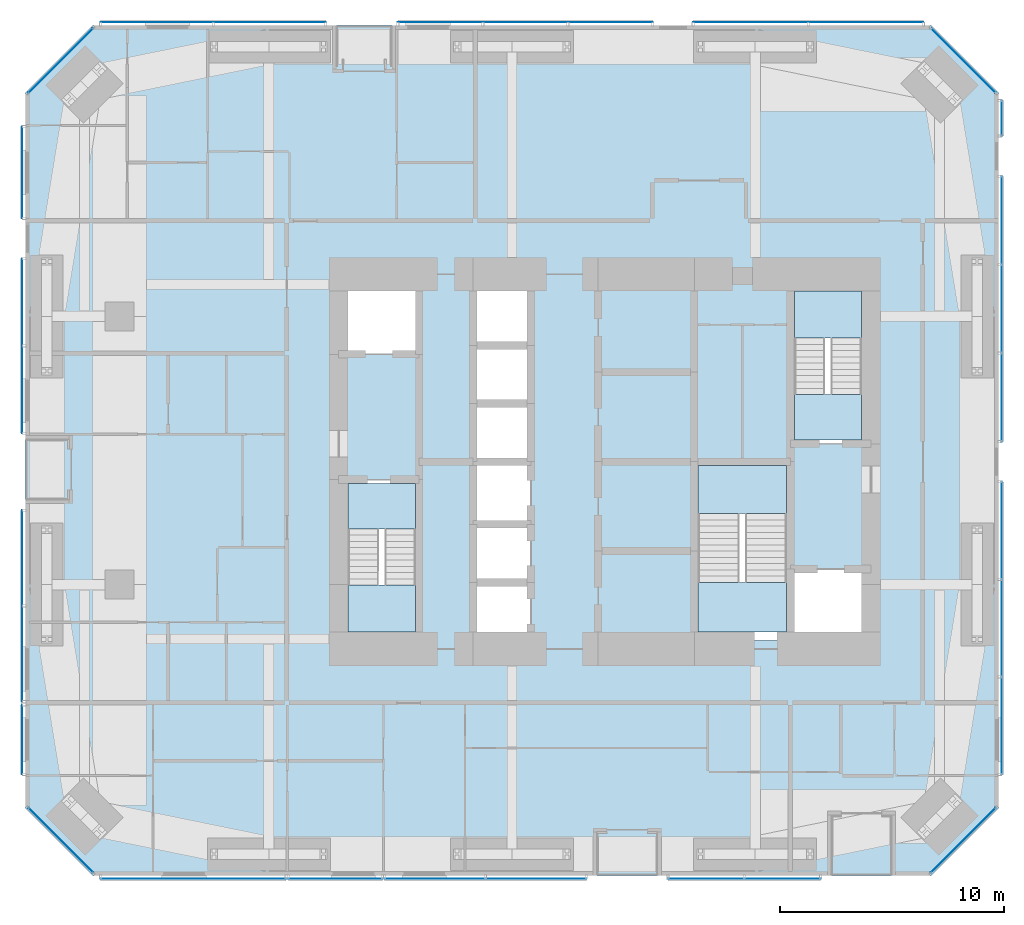
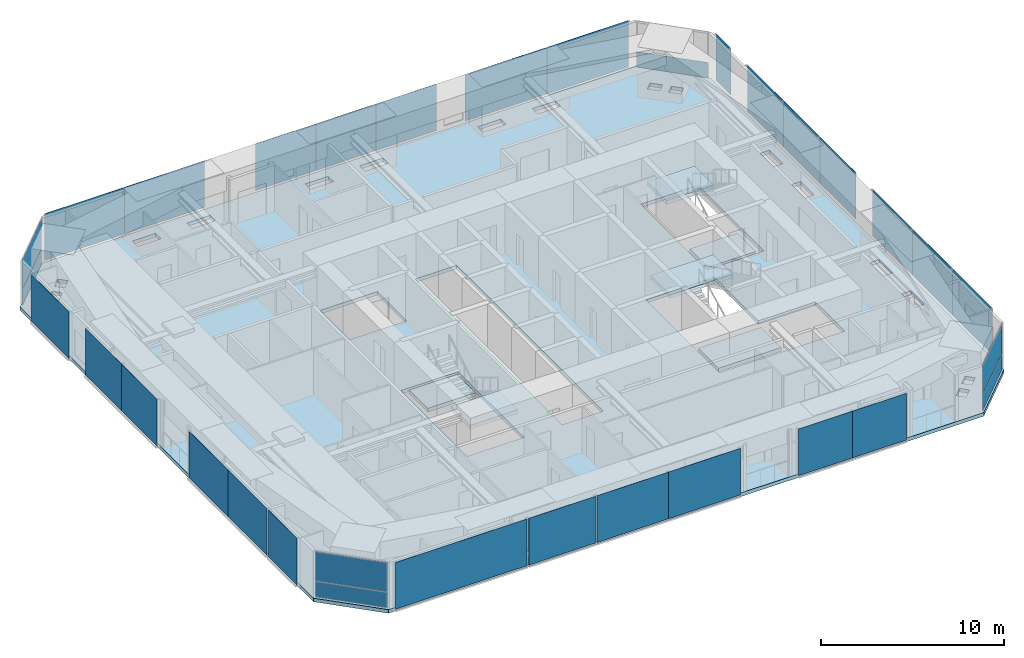
# One storey, part 16 of 24: 33 plates, 7 slabs, 21 elements without a shape of their own.
"""IFC4 building model written with IfcOpenShell, lengths in metres."""

from ifc_helpers import new_model, si_unit, direction, frame, origin, origin_2d, place, context, subcontext, project, spatial, polyline, rectangle, outline, extrude, material, layer, layer_set, type_object, element, aggregate, save


model = new_model("IFC4")

# Units and contexts
model_context = context("Model", 3, precision=1e-05, world=origin(), true_north=direction((0.0, 1.0)))
body_context = subcontext(model_context, "Body", "Model", "MODEL_VIEW")
ifc_project = project(units=[si_unit("LENGTHUNIT", "METRE"), si_unit("AREAUNIT", "SQUARE_METRE"), si_unit("VOLUMEUNIT", "CUBIC_METRE"), si_unit("PLANEANGLEUNIT", "RADIAN"), si_unit("MASSUNIT", "GRAM", prefix="KILO")], contexts=[model_context])

# Site, building, storey
site_placement = place(None, origin())
site = spatial("IfcSite", under=ifc_project, at=site_placement, CompositionType="ELEMENT")
building_placement = place(site_placement, origin())
building = spatial("IfcBuilding", under=site, at=building_placement, Name="Jalousie Tower", CompositionType="ELEMENT")
storey_placement = place(building_placement, frame((0.0, 0.0, 131.64990234375)))
storey = spatial("IfcBuildingStorey", under=building, at=storey_placement, Name="L36", CompositionType="ELEMENT", Elevation=131.64990234375)

# Curtain wall, plates
ifc_material_1 = material(Name="Aluminium curtain wall", Category="aluminium")
curtain_wall_type_1 = type_object("IfcCurtainWallType", Name="CORNER WINDOW WALL", PredefinedType="USERDEFINED", material=ifc_material_1)
curtain_wall_1_placement = place(storey_placement, origin())
curtain_wall_1 = element("IfcCurtainWall", 1, at=curtain_wall_1_placement, inside=storey, type_object=curtain_wall_type_1, Name="Corner Window Wall L36 2", ObjectType="CORNER WINDOW WALL", PredefinedType="USERDEFINED")
ifc_material_2 = material(Name="Laminated impact-rated spandrel glass", Category="glass")
ifc_layer_1 = layer(ifc_material_2, 0.028076171875)
ifc_layer_set_1 = layer_set([ifc_layer_1], Name="Laminated impact-rated spandrel glass")
plate_type_1 = type_object("IfcPlateType", Name="CORNER WINDOW WALL PANEL", PredefinedType="CURTAIN_PANEL", material=ifc_layer_set_1)
plate_1_placement = place(storey_placement, frame((47.9306640625, 1.5693359375, 0.06005859375), z_axis=(0.0, 0.0, 1.0), x_axis=(0.707106781187, 0.707106781187, 0.0)))
plate_1 = element("IfcPlate", 2, at=plate_1_placement, type_object=plate_type_1, Name="CW-C panel 1.1", PredefinedType="CURTAIN_PANEL", context=body_context, shape_type="SweptSolid", body=[
    extrude(rectangle(XDim=4.071533203125, YDim=0.028076171875, at=origin_2d()), origin(), (0.0, 0.0, 1.0), 1.010009765625),
])
plate_2_placement = place(storey_placement, frame((47.9306640625, 1.5693359375, 1.130126953125), z_axis=(0.0, 0.0, 1.0), x_axis=(0.707106781187, 0.707106781187, 0.0)))
plate_2 = element("IfcPlate", 3, at=plate_2_placement, type_object=plate_type_1, Name="CW-C panel 1.2", PredefinedType="CURTAIN_PANEL", context=body_context, shape_type="SweptSolid", body=[
    extrude(rectangle(XDim=4.071533203125, YDim=0.028076171875, at=origin_2d()), origin(), (0.0, 0.0, 1.0), 1.919921875),
])
aggregate(curtain_wall_1, [plate_1, plate_2])

# Curtain wall, plate
curtain_wall_2_placement = place(storey_placement, origin())
curtain_wall_2 = element("IfcCurtainWall", 4, at=curtain_wall_2_placement, inside=storey, type_object=curtain_wall_type_1, Name="Corner Window Wall L36 4", ObjectType="CORNER WINDOW WALL", PredefinedType="USERDEFINED")
plate_3_placement = place(storey_placement, frame((47.9306640625, 36.4306640625, 0.06005859375), z_axis=(0.0, 0.0, 1.0), x_axis=(-0.707106781187, 0.707106781187, 0.0)))
plate_3 = element("IfcPlate", 5, at=plate_3_placement, type_object=plate_type_1, Name="CW-C panel 1.1", PredefinedType="CURTAIN_PANEL", context=body_context, shape_type="SweptSolid", body=[
    extrude(rectangle(XDim=4.071533203125, YDim=0.028076171875, at=origin_2d()), origin(), (0.0, 0.0, 1.0), 1.010009765625),
])
aggregate(curtain_wall_2, [plate_3])

# Curtain wall, plates
curtain_wall_3_placement = place(storey_placement, origin())
curtain_wall_3 = element("IfcCurtainWall", 6, at=curtain_wall_3_placement, inside=storey, type_object=curtain_wall_type_1, Name="Corner Window Wall L36 6", ObjectType="CORNER WINDOW WALL", PredefinedType="USERDEFINED")
plate_4_placement = place(storey_placement, frame((7.5693359375, 36.4306640625, 0.06005859375), z_axis=(0.0, 0.0, 1.0), x_axis=(-0.707106781187, -0.707106781187, 0.0)))
plate_4 = element("IfcPlate", 7, at=plate_4_placement, type_object=plate_type_1, Name="CW-C panel 1.1", PredefinedType="CURTAIN_PANEL", context=body_context, shape_type="SweptSolid", body=[
    extrude(rectangle(XDim=4.071533203125, YDim=0.028076171875, at=origin_2d()), origin(), (0.0, 0.0, 1.0), 1.010009765625),
])
plate_5_placement = place(storey_placement, frame((7.5693359375, 36.4306640625, 1.130126953125), z_axis=(0.0, 0.0, 1.0), x_axis=(-0.707106781187, -0.707106781187, 0.0)))
plate_5 = element("IfcPlate", 8, at=plate_5_placement, type_object=plate_type_1, Name="CW-C panel 1.2", PredefinedType="CURTAIN_PANEL", context=body_context, shape_type="SweptSolid", body=[
    extrude(rectangle(XDim=4.071533203125, YDim=0.028076171875, at=origin_2d()), origin(), (0.0, 0.0, 1.0), 1.919921875),
])
aggregate(curtain_wall_3, [plate_4, plate_5])

curtain_wall_4_placement = place(storey_placement, origin())
curtain_wall_4 = element("IfcCurtainWall", 9, at=curtain_wall_4_placement, inside=storey, type_object=curtain_wall_type_1, Name="Corner Window Wall L36 8", ObjectType="CORNER WINDOW WALL", PredefinedType="USERDEFINED")
plate_6_placement = place(storey_placement, frame((7.5693359375, 1.5693359375, 0.06005859375), z_axis=(0.0, 0.0, 1.0), x_axis=(0.707106781187, -0.707106781187, 0.0)))
plate_6 = element("IfcPlate", 10, at=plate_6_placement, type_object=plate_type_1, Name="CW-C panel 1.1", PredefinedType="CURTAIN_PANEL", context=body_context, shape_type="SweptSolid", body=[
    extrude(rectangle(XDim=4.071533203125, YDim=0.028076171875, at=origin_2d()), origin(), (0.0, 0.0, 1.0), 1.010009765625),
])
plate_7_placement = place(storey_placement, frame((7.5693359375, 1.5693359375, 1.130126953125), z_axis=(0.0, 0.0, 1.0), x_axis=(0.707106781187, -0.707106781187, 0.0)))
plate_7 = element("IfcPlate", 11, at=plate_7_placement, type_object=plate_type_1, Name="CW-C panel 1.2", PredefinedType="CURTAIN_PANEL", context=body_context, shape_type="SweptSolid", body=[
    extrude(rectangle(XDim=4.071533203125, YDim=0.028076171875, at=origin_2d()), origin(), (0.0, 0.0, 1.0), 1.919921875),
])
aggregate(curtain_wall_4, [plate_6, plate_7])

# Slab
ifc_material_3 = material(Name="Concrete f'c 40 MPa", Category="concrete")
ifc_layer_2 = layer(ifc_material_3, 0.239990234375)
ifc_layer_set_2 = layer_set([ifc_layer_2], Name="Concrete f'c 40 MPa")
slab_type_1 = type_object("IfcSlabType", Name="FLOOR SLAB 240", PredefinedType="FLOOR", material=ifc_layer_set_2)
slab_1_placement = place(storey_placement, frame((0.0, 0.0, -0.239990234375)))
element("IfcSlab", 12, at=slab_1_placement, inside=storey, type_object=slab_type_1, Name="L36 floor slab", PredefinedType="FLOOR", context=body_context, shape_type="SweptSolid", body=[
    extrude(outline(polyline([(9.0, 0.0), (46.5, 0.0), (49.5, 3.0), (49.5, 35.0), (46.5, 38.0), (9.0, 38.0), (6.0, 35.0), (6.0, 3.0), (9.0, 0.0)]), holes=[polyline([(14.425048828125, 1.236083984375), (14.484619140625, 1.236083984375), (15.888916015625, 1.236083984375), (15.888916015625, 0.663818359375), (14.484619140625, 0.663818359375), (14.425048828125, 0.663818359375), (14.425048828125, 1.236083984375)]), polyline([(26.763916015625, 1.236083984375), (26.763916015625, 0.663818359375), (25.359619140625, 0.663818359375), (25.300048828125, 0.663818359375), (25.300048828125, 1.236083984375), (25.359619140625, 1.236083984375), (26.763916015625, 1.236083984375)]), polyline([(17.861083984375, 1.236083984375), (19.265380859375, 1.236083984375), (19.324951171875, 1.236083984375), (19.324951171875, 0.663818359375), (19.265380859375, 0.663818359375), (17.861083984375, 0.663818359375), (17.861083984375, 1.236083984375)]), polyline([(9.39453125, 2.27294921875), (9.505615234375, 2.162109375), (9.505615234375, 2.162109375), (9.235595703125, 1.89208984375), (9.1005859375, 1.75732421875), (8.98974609375, 1.868408203125), (8.98974609375, 1.868408203125), (8.604736328125, 2.25341796875), (9.009521484375, 2.658203125), (9.39453125, 2.27294921875)]), polyline([(7.75732421875, 3.1005859375), (8.162109375, 3.505615234375), (8.658203125, 3.009521484375), (8.25341796875, 2.604736328125), (7.75732421875, 3.1005859375)]), polyline([(7.236083984375, 10.550048828125), (6.663818359375, 10.550048828125), (6.663818359375, 10.609619140625), (6.663818359375, 12.013916015625), (7.236083984375, 12.013916015625), (7.236083984375, 10.609619140625), (7.236083984375, 10.550048828125)]), polyline([(26.0, 10.5), (26.0, 26.5), (28.60009765625, 26.5), (28.60009765625, 10.5), (26.0, 10.5)]), polyline([(20.0, 10.5), (23.60009765625, 10.5), (23.60009765625, 17.699951171875), (20.0, 17.699951171875), (20.0, 10.5)]), polyline([(7.236083984375, 15.390380859375), (7.236083984375, 13.986083984375), (6.663818359375, 13.986083984375), (6.663818359375, 15.390380859375), (6.663818359375, 15.449951171875), (7.236083984375, 15.449951171875), (7.236083984375, 15.390380859375)]), polyline([(6.663818359375, 24.013916015625), (7.236083984375, 24.013916015625), (7.236083984375, 22.609619140625), (7.236083984375, 22.550048828125), (6.663818359375, 22.550048828125), (6.663818359375, 22.609619140625), (6.663818359375, 24.013916015625)]), polyline([(20.0, 23.300048828125), (23.60009765625, 23.300048828125), (23.60009765625, 26.5), (20.0, 26.5), (20.0, 23.300048828125)]), polyline([(7.236083984375, 25.986083984375), (6.663818359375, 25.986083984375), (6.663818359375, 27.390380859375), (6.663818359375, 27.449951171875), (7.236083984375, 27.449951171875), (7.236083984375, 27.390380859375), (7.236083984375, 25.986083984375)]), polyline([(7.75732421875, 34.8994140625), (7.75732421875, 34.8994140625), (8.25341796875, 35.395263671875), (8.658203125, 34.990478515625), (8.162109375, 34.494384765625), (7.959716796875, 34.697021484375), (7.75732421875, 34.8994140625), (7.75732421875, 34.8994140625)]), polyline([(8.604736328125, 35.74658203125), (9.1005859375, 36.24267578125), (9.505615234375, 35.837890625), (9.39453125, 35.72705078125), (9.009521484375, 35.341796875), (8.604736328125, 35.74658203125)]), polyline([(26.763916015625, 36.763916015625), (25.359619140625, 36.763916015625), (25.300048828125, 36.763916015625), (25.300048828125, 37.336181640625), (25.359619140625, 37.336181640625), (26.763916015625, 37.336181640625), (26.763916015625, 36.763916015625)]), polyline([(19.324951171875, 37.336181640625), (19.324951171875, 36.763916015625), (19.265380859375, 36.763916015625), (17.861083984375, 36.763916015625), (17.861083984375, 37.336181640625), (19.265380859375, 37.336181640625), (19.324951171875, 37.336181640625)]), polyline([(14.425048828125, 36.763916015625), (14.425048828125, 37.336181640625), (14.484619140625, 37.336181640625), (15.888916015625, 37.336181640625), (15.888916015625, 36.763916015625), (14.484619140625, 36.763916015625), (14.425048828125, 36.763916015625)]), polyline([(28.736083984375, 0.663818359375), (28.736083984375, 1.236083984375), (30.140380859375, 1.236083984375), (30.199951171875, 1.236083984375), (30.199951171875, 0.663818359375), (30.140380859375, 0.663818359375), (28.736083984375, 0.663818359375)]), polyline([(36.234619140625, 0.663818359375), (36.175048828125, 0.663818359375), (36.175048828125, 1.236083984375), (36.234619140625, 1.236083984375), (37.638916015625, 1.236083984375), (37.638916015625, 0.663818359375), (36.234619140625, 0.663818359375)]), polyline([(41.015380859375, 1.236083984375), (41.074951171875, 1.236083984375), (41.074951171875, 0.663818359375), (41.015380859375, 0.663818359375), (39.611083984375, 0.663818359375), (39.611083984375, 1.236083984375), (41.015380859375, 1.236083984375)]), polyline([(46.895263671875, 2.25341796875), (46.3994140625, 1.75732421875), (46.3994140625, 1.75732421875), (46.3994140625, 1.75732421875), (46.197021484375, 1.959716796875), (45.994384765625, 2.162109375), (46.490478515625, 2.658203125), (46.895263671875, 2.25341796875)]), polyline([(47.22705078125, 3.39453125), (47.22705078125, 3.39453125), (47.337890625, 3.505615234375), (47.540283203125, 3.302978515625), (47.74267578125, 3.1005859375), (47.74267578125, 3.1005859375), (47.631591796875, 2.98974609375), (47.24658203125, 2.604736328125), (46.841796875, 3.009521484375), (47.22705078125, 3.39453125)]), polyline([(48.836181640625, 10.550048828125), (48.263916015625, 10.550048828125), (48.263916015625, 10.609619140625), (48.263916015625, 12.013916015625), (48.836181640625, 12.013916015625), (48.836181640625, 10.609619140625), (48.836181640625, 10.550048828125)]), polyline([(35.89990234375, 18.5), (40.199951171875, 18.5), (40.199951171875, 13.699951171875), (43.800048828125, 13.699951171875), (43.800048828125, 10.5), (35.89990234375, 10.5), (35.89990234375, 18.5)]), polyline([(48.836181640625, 13.986083984375), (48.263916015625, 13.986083984375), (48.263916015625, 15.390380859375), (48.263916015625, 15.449951171875), (48.836181640625, 15.449951171875), (48.836181640625, 15.390380859375), (48.836181640625, 13.986083984375)]), polyline([(40.199951171875, 19.300048828125), (43.800048828125, 19.300048828125), (43.800048828125, 26.5), (40.199951171875, 26.5), (40.199951171875, 19.300048828125)]), polyline([(48.836181640625, 22.550048828125), (48.263916015625, 22.550048828125), (48.263916015625, 22.609619140625), (48.263916015625, 24.013916015625), (48.836181640625, 24.013916015625), (48.836181640625, 22.609619140625), (48.836181640625, 22.550048828125)]), polyline([(48.836181640625, 27.390380859375), (48.836181640625, 25.986083984375), (48.263916015625, 25.986083984375), (48.263916015625, 27.390380859375), (48.263916015625, 27.449951171875), (48.836181640625, 27.449951171875), (48.836181640625, 27.390380859375)]), polyline([(47.24658203125, 35.395263671875), (47.631591796875, 35.01025390625), (47.74267578125, 34.8994140625), (47.337890625, 34.494384765625), (46.841796875, 34.990478515625), (47.24658203125, 35.395263671875)]), polyline([(46.490478515625, 35.341796875), (45.994384765625, 35.837890625), (46.3994140625, 36.24267578125), (46.51025390625, 36.131591796875), (46.895263671875, 35.74658203125), (46.490478515625, 35.341796875)]), polyline([(41.015380859375, 37.336181640625), (41.074951171875, 37.336181640625), (41.074951171875, 36.763916015625), (41.015380859375, 36.763916015625), (39.611083984375, 36.763916015625), (39.611083984375, 37.336181640625), (41.015380859375, 37.336181640625)]), polyline([(37.638916015625, 37.336181640625), (37.638916015625, 36.763916015625), (36.234619140625, 36.763916015625), (36.175048828125, 36.763916015625), (36.175048828125, 37.336181640625), (36.234619140625, 37.336181640625), (37.638916015625, 37.336181640625)]), polyline([(28.736083984375, 37.336181640625), (30.140380859375, 37.336181640625), (30.199951171875, 37.336181640625), (30.199951171875, 36.763916015625), (30.140380859375, 36.763916015625), (28.736083984375, 36.763916015625), (28.736083984375, 37.336181640625)])]), origin(), (0.0, 0.0, 1.0), 0.239990234375),
])

# Curtain wall, plate
ifc_material_4 = material(Name="Perforated aluminium sheet", Category="aluminium")
curtain_wall_type_2 = type_object("IfcCurtainWallType", Name="SOLAR SCREEN SS-1", PredefinedType="USERDEFINED", material=ifc_material_4)
curtain_wall_5_placement = place(storey_placement, origin())
curtain_wall_5 = element("IfcCurtainWall", 13, at=curtain_wall_5_placement, inside=storey, type_object=curtain_wall_type_2, Name="Solar screen L36", ObjectType="SOLAR SCREEN SS-1", PredefinedType="USERDEFINED")
ifc_material_5 = material(Name="Perforated aluminium sheet", Category="aluminium")
ifc_layer_3 = layer(ifc_material_5, 0.006103515625)
ifc_layer_set_3 = layer_set([ifc_layer_3], Name="Perforated aluminium sheet")
plate_type_2 = type_object("IfcPlateType", Name="SOLAR SCREEN SS-1 PANEL", PredefinedType="CURTAIN_PANEL", material=ifc_layer_set_3)
plate_8_placement = place(storey_placement, frame((13.500732421875, -0.150390625, 0.0), z_axis=(0.0, 0.0, 1.0), x_axis=(1.0, 0.0, 0.0)))
plate_8 = element("IfcPlate", 14, at=plate_8_placement, type_object=plate_type_2, Name="SS1 perforated panel 1", PredefinedType="CURTAIN_PANEL", context=body_context, shape_type="SweptSolid", body=[
    extrude(rectangle(XDim=8.298583984375, YDim=0.006103515625, at=origin_2d()), origin(), (0.0, 0.0, 1.0), 3.110107421875),
])
aggregate(curtain_wall_5, [plate_8])

curtain_wall_6_placement = place(storey_placement, origin())
curtain_wall_6 = element("IfcCurtainWall", 15, at=curtain_wall_6_placement, inside=storey, type_object=curtain_wall_type_2, Name="Solar screen L36", ObjectType="SOLAR SCREEN SS-1", PredefinedType="USERDEFINED")
plate_9_placement = place(storey_placement, frame((19.85009765625, -0.150390625, 0.0), z_axis=(0.0, 0.0, 1.0), x_axis=(1.0, 0.0, 0.0)))
plate_9 = element("IfcPlate", 16, at=plate_9_placement, type_object=plate_type_2, Name="SS1 perforated panel 1", PredefinedType="CURTAIN_PANEL", context=body_context, shape_type="SweptSolid", body=[
    extrude(rectangle(XDim=4.199951171875, YDim=0.006103515625, at=origin_2d()), origin(), (0.0, 0.0, 1.0), 3.110107421875),
])
aggregate(curtain_wall_6, [plate_9])

# Curtain wall, plates
curtain_wall_7_placement = place(storey_placement, origin())
curtain_wall_7 = element("IfcCurtainWall", 17, at=curtain_wall_7_placement, inside=storey, type_object=curtain_wall_type_2, Name="Solar screen L36", ObjectType="SOLAR SCREEN SS-1", PredefinedType="USERDEFINED")
plate_10_placement = place(storey_placement, frame((24.30615234375, -0.150390625, 0.0), z_axis=(0.0, 0.0, 1.0), x_axis=(1.0, 0.0, 0.0)))
plate_10 = element("IfcPlate", 18, at=plate_10_placement, type_object=plate_type_2, Name="SS1 perforated panel 1", PredefinedType="CURTAIN_PANEL", context=body_context, shape_type="SweptSolid", body=[
    extrude(rectangle(XDim=4.512451171875, YDim=0.006103515625, at=origin_2d()), origin(), (0.0, 0.0, 1.0), 3.110107421875),
])
plate_11_placement = place(storey_placement, frame((28.81884765625, -0.150390625, 0.0), z_axis=(0.0, 0.0, 1.0), x_axis=(1.0, 0.0, 0.0)))
plate_11 = element("IfcPlate", 19, at=plate_11_placement, type_object=plate_type_2, Name="SS1 perforated panel 2", PredefinedType="CURTAIN_PANEL", context=body_context, shape_type="SweptSolid", body=[
    extrude(rectangle(XDim=4.512451171875, YDim=0.006103515625, at=origin_2d()), origin(), (0.0, 0.0, 1.0), 3.110107421875),
])
aggregate(curtain_wall_7, [plate_10, plate_11])

curtain_wall_8_placement = place(storey_placement, origin())
curtain_wall_8 = element("IfcCurtainWall", 20, at=curtain_wall_8_placement, inside=storey, type_object=curtain_wall_type_2, Name="Solar screen L36", ObjectType="SOLAR SCREEN SS-1", PredefinedType="USERDEFINED")
plate_12_placement = place(storey_placement, frame((36.43115234375, -0.150390625, 0.0), z_axis=(0.0, 0.0, 1.0), x_axis=(1.0, 0.0, 0.0)))
plate_12 = element("IfcPlate", 21, at=plate_12_placement, type_object=plate_type_2, Name="SS1 perforated panel 1", PredefinedType="CURTAIN_PANEL", context=body_context, shape_type="SweptSolid", body=[
    extrude(rectangle(XDim=3.41259765625, YDim=0.006103515625, at=origin_2d()), origin(), (0.0, 0.0, 1.0), 3.110107421875),
])
plate_13_placement = place(storey_placement, frame((39.84375, -0.150390625, 0.0), z_axis=(0.0, 0.0, 1.0), x_axis=(1.0, 0.0, 0.0)))
plate_13 = element("IfcPlate", 22, at=plate_13_placement, type_object=plate_type_2, Name="SS1 perforated panel 2", PredefinedType="CURTAIN_PANEL", context=body_context, shape_type="SweptSolid", body=[
    extrude(rectangle(XDim=3.41259765625, YDim=0.006103515625, at=origin_2d()), origin(), (0.0, 0.0, 1.0), 3.110107421875),
])
aggregate(curtain_wall_8, [plate_12, plate_13])

curtain_wall_9_placement = place(storey_placement, origin())
curtain_wall_9 = element("IfcCurtainWall", 23, at=curtain_wall_9_placement, inside=storey, type_object=curtain_wall_type_2, Name="Solar screen L36", ObjectType="SOLAR SCREEN SS-1", PredefinedType="USERDEFINED")
plate_14_placement = place(storey_placement, frame((49.650390625, 6.69482421875, 0.0), z_axis=(0.0, 0.0, 1.0), x_axis=(0.0, 1.0, 0.0)))
plate_14 = element("IfcPlate", 24, at=plate_14_placement, type_object=plate_type_2, Name="SS1 perforated panel 1", PredefinedType="CURTAIN_PANEL", context=body_context, shape_type="SweptSolid", body=[
    extrude(rectangle(XDim=4.362060546875, YDim=0.006103515625, at=origin_2d()), origin(), (0.0, 0.0, 1.0), 3.110107421875),
])
plate_15_placement = place(storey_placement, frame((49.650390625, 11.056884765625, 0.0), z_axis=(0.0, 0.0, 1.0), x_axis=(0.0, 1.0, 0.0)))
plate_15 = element("IfcPlate", 25, at=plate_15_placement, type_object=plate_type_2, Name="SS1 perforated panel 2", PredefinedType="CURTAIN_PANEL", context=body_context, shape_type="SweptSolid", body=[
    extrude(rectangle(XDim=4.362060546875, YDim=0.006103515625, at=origin_2d()), origin(), (0.0, 0.0, 1.0), 3.110107421875),
])
plate_16_placement = place(storey_placement, frame((49.650390625, 15.4189453125, 0.0), z_axis=(0.0, 0.0, 1.0), x_axis=(0.0, 1.0, 0.0)))
plate_16 = element("IfcPlate", 26, at=plate_16_placement, type_object=plate_type_2, Name="SS1 perforated panel 3", PredefinedType="CURTAIN_PANEL", context=body_context, shape_type="SweptSolid", body=[
    extrude(rectangle(XDim=4.362060546875, YDim=0.006103515625, at=origin_2d()), origin(), (0.0, 0.0, 1.0), 3.110107421875),
])
aggregate(curtain_wall_9, [plate_14, plate_15, plate_16])

curtain_wall_10_placement = place(storey_placement, origin())
curtain_wall_10 = element("IfcCurtainWall", 27, at=curtain_wall_10_placement, inside=storey, type_object=curtain_wall_type_2, Name="Solar screen L36", ObjectType="SOLAR SCREEN SS-1", PredefinedType="USERDEFINED")
plate_17_placement = place(storey_placement, frame((49.650390625, 21.376953125, 0.0), z_axis=(0.0, 0.0, 1.0), x_axis=(0.0, 1.0, 0.0)))
plate_17 = element("IfcPlate", 28, at=plate_17_placement, type_object=plate_type_2, Name="SS1 perforated panel 1", PredefinedType="CURTAIN_PANEL", context=body_context, shape_type="SweptSolid", body=[
    extrude(rectangle(XDim=3.9541015625, YDim=0.006103515625, at=origin_2d()), origin(), (0.0, 0.0, 1.0), 3.110107421875),
])
plate_18_placement = place(storey_placement, frame((49.650390625, 25.3310546875, 0.0), z_axis=(0.0, 0.0, 1.0), x_axis=(0.0, 1.0, 0.0)))
plate_18 = element("IfcPlate", 29, at=plate_18_placement, type_object=plate_type_2, Name="SS1 perforated panel 2", PredefinedType="CURTAIN_PANEL", context=body_context, shape_type="SweptSolid", body=[
    extrude(rectangle(XDim=3.9541015625, YDim=0.006103515625, at=origin_2d()), origin(), (0.0, 0.0, 1.0), 3.110107421875),
])
plate_19_placement = place(storey_placement, frame((49.650390625, 29.284912109375, 0.0), z_axis=(0.0, 0.0, 1.0), x_axis=(0.0, 1.0, 0.0)))
plate_19 = element("IfcPlate", 30, at=plate_19_placement, type_object=plate_type_2, Name="SS1 perforated panel 3", PredefinedType="CURTAIN_PANEL", context=body_context, shape_type="SweptSolid", body=[
    extrude(rectangle(XDim=3.9541015625, YDim=0.006103515625, at=origin_2d()), origin(), (0.0, 0.0, 1.0), 3.110107421875),
])
aggregate(curtain_wall_10, [plate_17, plate_18, plate_19])

# Curtain wall, plate
curtain_wall_11_placement = place(storey_placement, origin())
curtain_wall_11 = element("IfcCurtainWall", 31, at=curtain_wall_11_placement, inside=storey, type_object=curtain_wall_type_2, Name="Solar screen L36", ObjectType="SOLAR SCREEN SS-1", PredefinedType="USERDEFINED")
plate_20_placement = place(storey_placement, frame((49.650390625, 33.855224609375, 0.0), z_axis=(0.0, 0.0, 1.0), x_axis=(0.0, 1.0, 0.0)))
plate_20 = element("IfcPlate", 32, at=plate_20_placement, type_object=plate_type_2, Name="SS1 perforated panel 1", PredefinedType="CURTAIN_PANEL", context=body_context, shape_type="SweptSolid", body=[
    extrude(rectangle(XDim=1.5869140625, YDim=0.006103515625, at=origin_2d()), origin(), (0.0, 0.0, 1.0), 3.110107421875),
])
aggregate(curtain_wall_11, [plate_20])

# Curtain wall, plates
curtain_wall_12_placement = place(storey_placement, origin())
curtain_wall_12 = element("IfcCurtainWall", 33, at=curtain_wall_12_placement, inside=storey, type_object=curtain_wall_type_2, Name="Solar screen L36", ObjectType="SOLAR SCREEN SS-1", PredefinedType="USERDEFINED")
plate_21_placement = place(storey_placement, frame((43.573486328125, 38.150390625, 0.0), z_axis=(0.0, 0.0, 1.0), x_axis=(-1.0, 0.0, 0.0)))
plate_21 = element("IfcPlate", 34, at=plate_21_placement, type_object=plate_type_2, Name="SS1 perforated panel 1", PredefinedType="CURTAIN_PANEL", context=body_context, shape_type="SweptSolid", body=[
    extrude(rectangle(XDim=5.150146484375, YDim=0.006103515625, at=origin_2d()), origin(), (0.0, 0.0, 1.0), 3.110107421875),
])
plate_22_placement = place(storey_placement, frame((38.42333984375, 38.150390625, 0.0), z_axis=(0.0, 0.0, 1.0), x_axis=(-1.0, 0.0, 0.0)))
plate_22 = element("IfcPlate", 35, at=plate_22_placement, type_object=plate_type_2, Name="SS1 perforated panel 2", PredefinedType="CURTAIN_PANEL", context=body_context, shape_type="SweptSolid", body=[
    extrude(rectangle(XDim=5.150146484375, YDim=0.006103515625, at=origin_2d()), origin(), (0.0, 0.0, 1.0), 3.110107421875),
])
aggregate(curtain_wall_12, [plate_21, plate_22])

curtain_wall_13_placement = place(storey_placement, origin())
curtain_wall_13 = element("IfcCurtainWall", 36, at=curtain_wall_13_placement, inside=storey, type_object=curtain_wall_type_2, Name="Solar screen L36", ObjectType="SOLAR SCREEN SS-1", PredefinedType="USERDEFINED")
plate_23_placement = place(storey_placement, frame((32.1484375, 38.150390625, 0.0), z_axis=(0.0, 0.0, 1.0), x_axis=(-1.0, 0.0, 0.0)))
plate_23 = element("IfcPlate", 37, at=plate_23_placement, type_object=plate_type_2, Name="SS1 perforated panel 1", PredefinedType="CURTAIN_PANEL", context=body_context, shape_type="SweptSolid", body=[
    extrude(rectangle(XDim=3.79931640625, YDim=0.006103515625, at=origin_2d()), origin(), (0.0, 0.0, 1.0), 3.110107421875),
])
plate_24_placement = place(storey_placement, frame((28.34912109375, 38.150390625, 0.0), z_axis=(0.0, 0.0, 1.0), x_axis=(-1.0, 0.0, 0.0)))
plate_24 = element("IfcPlate", 38, at=plate_24_placement, type_object=plate_type_2, Name="SS1 perforated panel 2", PredefinedType="CURTAIN_PANEL", context=body_context, shape_type="SweptSolid", body=[
    extrude(rectangle(XDim=3.79931640625, YDim=0.006103515625, at=origin_2d()), origin(), (0.0, 0.0, 1.0), 3.110107421875),
])
plate_25_placement = place(storey_placement, frame((24.5498046875, 38.150390625, 0.0), z_axis=(0.0, 0.0, 1.0), x_axis=(-1.0, 0.0, 0.0)))
plate_25 = element("IfcPlate", 39, at=plate_25_placement, type_object=plate_type_2, Name="SS1 perforated panel 3", PredefinedType="CURTAIN_PANEL", context=body_context, shape_type="SweptSolid", body=[
    extrude(rectangle(XDim=3.79931640625, YDim=0.006103515625, at=origin_2d()), origin(), (0.0, 0.0, 1.0), 3.110107421875),
])
aggregate(curtain_wall_13, [plate_23, plate_24, plate_25])

curtain_wall_14_placement = place(storey_placement, origin())
curtain_wall_14 = element("IfcCurtainWall", 40, at=curtain_wall_14_placement, inside=storey, type_object=curtain_wall_type_2, Name="Solar screen L36", ObjectType="SOLAR SCREEN SS-1", PredefinedType="USERDEFINED")
plate_26_placement = place(storey_placement, frame((16.906494140625, 38.150390625, 0.0), z_axis=(0.0, 0.0, 1.0), x_axis=(-1.0, 0.0, 0.0)))
plate_26 = element("IfcPlate", 41, at=plate_26_placement, type_object=plate_type_2, Name="SS1 perforated panel 1", PredefinedType="CURTAIN_PANEL", context=body_context, shape_type="SweptSolid", body=[
    extrude(rectangle(XDim=5.036865234375, YDim=0.006103515625, at=origin_2d()), origin(), (0.0, 0.0, 1.0), 3.110107421875),
])
plate_27_placement = place(storey_placement, frame((11.86962890625, 38.150390625, 0.0), z_axis=(0.0, 0.0, 1.0), x_axis=(-1.0, 0.0, 0.0)))
plate_27 = element("IfcPlate", 42, at=plate_27_placement, type_object=plate_type_2, Name="SS1 perforated panel 2", PredefinedType="CURTAIN_PANEL", context=body_context, shape_type="SweptSolid", body=[
    extrude(rectangle(XDim=5.036865234375, YDim=0.006103515625, at=origin_2d()), origin(), (0.0, 0.0, 1.0), 3.110107421875),
])
aggregate(curtain_wall_14, [plate_26, plate_27])

# Curtain wall, plate
curtain_wall_15_placement = place(storey_placement, origin())
curtain_wall_15 = element("IfcCurtainWall", 43, at=curtain_wall_15_placement, inside=storey, type_object=curtain_wall_type_2, Name="Solar screen L36", ObjectType="SOLAR SCREEN SS-1", PredefinedType="USERDEFINED")
plate_28_placement = place(storey_placement, frame((5.849609375, 31.4306640625, 0.0), z_axis=(0.0, 0.0, 1.0), x_axis=(0.0, -1.0, 0.0)))
plate_28 = element("IfcPlate", 44, at=plate_28_placement, type_object=plate_type_2, Name="SS1 perforated panel 1", PredefinedType="CURTAIN_PANEL", context=body_context, shape_type="SweptSolid", body=[
    extrude(rectangle(XDim=4.111083984375, YDim=0.006103515625, at=origin_2d()), origin(), (0.0, 0.0, 1.0), 3.110107421875),
])
aggregate(curtain_wall_15, [plate_28])

# Curtain wall, plates
curtain_wall_16_placement = place(storey_placement, origin())
curtain_wall_16 = element("IfcCurtainWall", 45, at=curtain_wall_16_placement, inside=storey, type_object=curtain_wall_type_2, Name="Solar screen L36", ObjectType="SOLAR SCREEN SS-1", PredefinedType="USERDEFINED")
plate_29_placement = place(storey_placement, frame((5.849609375, 25.624755859375, 0.0), z_axis=(0.0, 0.0, 1.0), x_axis=(0.0, -1.0, 0.0)))
plate_29 = element("IfcPlate", 46, at=plate_29_placement, type_object=plate_type_2, Name="SS1 perforated panel 1", PredefinedType="CURTAIN_PANEL", context=body_context, shape_type="SweptSolid", body=[
    extrude(rectangle(XDim=3.89990234375, YDim=0.006103515625, at=origin_2d()), origin(), (0.0, 0.0, 1.0), 3.110107421875),
])
plate_30_placement = place(storey_placement, frame((5.849609375, 21.724853515625, 0.0), z_axis=(0.0, 0.0, 1.0), x_axis=(0.0, -1.0, 0.0)))
plate_30 = element("IfcPlate", 47, at=plate_30_placement, type_object=plate_type_2, Name="SS1 perforated panel 2", PredefinedType="CURTAIN_PANEL", context=body_context, shape_type="SweptSolid", body=[
    extrude(rectangle(XDim=3.89990234375, YDim=0.006103515625, at=origin_2d()), origin(), (0.0, 0.0, 1.0), 3.110107421875),
])
aggregate(curtain_wall_16, [plate_29, plate_30])

curtain_wall_17_placement = place(storey_placement, origin())
curtain_wall_17 = element("IfcCurtainWall", 48, at=curtain_wall_17_placement, inside=storey, type_object=curtain_wall_type_2, Name="Solar screen L36", ObjectType="SOLAR SCREEN SS-1", PredefinedType="USERDEFINED")
plate_31_placement = place(storey_placement, frame((5.849609375, 14.1875, 0.0), z_axis=(0.0, 0.0, 1.0), x_axis=(0.0, -1.0, 0.0)))
plate_31 = element("IfcPlate", 49, at=plate_31_placement, type_object=plate_type_2, Name="SS1 perforated panel 1", PredefinedType="CURTAIN_PANEL", context=body_context, shape_type="SweptSolid", body=[
    extrude(rectangle(XDim=4.27490234375, YDim=0.006103515625, at=origin_2d()), origin(), (0.0, 0.0, 1.0), 3.110107421875),
])
plate_32_placement = place(storey_placement, frame((5.849609375, 9.91259765625, 0.0), z_axis=(0.0, 0.0, 1.0), x_axis=(0.0, -1.0, 0.0)))
plate_32 = element("IfcPlate", 50, at=plate_32_placement, type_object=plate_type_2, Name="SS1 perforated panel 2", PredefinedType="CURTAIN_PANEL", context=body_context, shape_type="SweptSolid", body=[
    extrude(rectangle(XDim=4.27490234375, YDim=0.006103515625, at=origin_2d()), origin(), (0.0, 0.0, 1.0), 3.110107421875),
])
aggregate(curtain_wall_17, [plate_31, plate_32])

# Curtain wall, plate
curtain_wall_18_placement = place(storey_placement, origin())
curtain_wall_18 = element("IfcCurtainWall", 51, at=curtain_wall_18_placement, inside=storey, type_object=curtain_wall_type_2, Name="Solar screen L36", ObjectType="SOLAR SCREEN SS-1", PredefinedType="USERDEFINED")
plate_33_placement = place(storey_placement, frame((5.849609375, 6.0693359375, 0.0), z_axis=(0.0, 0.0, 1.0), x_axis=(0.0, -1.0, 0.0)))
plate_33 = element("IfcPlate", 52, at=plate_33_placement, type_object=plate_type_2, Name="SS1 perforated panel 1", PredefinedType="CURTAIN_PANEL", context=body_context, shape_type="SweptSolid", body=[
    extrude(rectangle(XDim=3.111083984375, YDim=0.006103515625, at=origin_2d()), origin(), (0.0, 0.0, 1.0), 3.110107421875),
])
aggregate(curtain_wall_18, [plate_33])

# Stair, slabs
ifc_material_6 = material(Name="Concrete f'c 40 MPa", Category="concrete")
stair_type = type_object("IfcStairType", Name="EXIT STAIR", PredefinedType="HALF_TURN_STAIR", material=ifc_material_6)
stair_1_placement = place(storey_placement, origin())
stair_1 = element("IfcStair", 53, at=stair_1_placement, inside=storey, type_object=stair_type, Name="Exit stair A L36", PredefinedType="HALF_TURN_STAIR")
ifc_material_7 = material(Name="Concrete f'c 40 MPa", Category="concrete")
ifc_layer_4 = layer(ifc_material_7, 0.25)
ifc_layer_set_4 = layer_set([ifc_layer_4], Name="Concrete f'c 40 MPa")
slab_type_2 = type_object("IfcSlabType", Name="STAIR LANDING 250", PredefinedType="LANDING", material=ifc_layer_set_4)
slab_2_placement = place(storey_placement, frame((0.0, 0.0, -0.25)))
slab_2 = element("IfcSlab", 54, at=slab_2_placement, type_object=slab_type_2, Name="ST-A landing 1", PredefinedType="LANDING", context=body_context, shape_type="SweptSolid", body=[
    extrude(outline(polyline([(20.425048828125, 15.49755859375), (23.425048828125, 15.49755859375), (23.425048828125, 17.52490234375), (20.425048828125, 17.52490234375), (20.425048828125, 15.49755859375)])), origin(), (0.0, 0.0, 1.0), 0.25),
])
slab_3_placement = place(storey_placement, frame((0.0, 0.0, 1.425048828125)))
slab_3 = element("IfcSlab", 55, at=slab_3_placement, type_object=slab_type_2, Name="ST-A landing 2", PredefinedType="LANDING", context=body_context, shape_type="SweptSolid", body=[
    extrude(outline(polyline([(20.425048828125, 10.875), (23.425048828125, 10.875), (23.425048828125, 12.9775390625), (20.425048828125, 12.9775390625), (20.425048828125, 10.875)])), origin(), (0.0, 0.0, 1.0), 0.25),
])
aggregate(stair_1, [slab_2, slab_3])

stair_2_placement = place(storey_placement, origin())
stair_2 = element("IfcStair", 56, at=stair_2_placement, inside=storey, type_object=stair_type, Name="Exit stair B L36", PredefinedType="HALF_TURN_STAIR")
slab_4_placement = place(storey_placement, frame((0.0, 0.0, -0.25)))
slab_4 = element("IfcSlab", 57, at=slab_4_placement, type_object=slab_type_2, Name="ST-B landing 1", PredefinedType="LANDING", context=body_context, shape_type="SweptSolid", body=[
    extrude(outline(polyline([(40.375, 19.47509765625), (43.375, 19.47509765625), (43.375, 21.50244140625), (40.375, 21.50244140625), (40.375, 19.47509765625)])), origin(), (0.0, 0.0, 1.0), 0.25),
])
slab_5_placement = place(storey_placement, frame((0.0, 0.0, 1.425048828125)))
slab_5 = element("IfcSlab", 58, at=slab_5_placement, type_object=slab_type_2, Name="ST-B landing 2", PredefinedType="LANDING", context=body_context, shape_type="SweptSolid", body=[
    extrude(outline(polyline([(40.375, 24.0224609375), (43.375, 24.0224609375), (43.375, 26.125), (40.375, 26.125), (40.375, 24.0224609375)])), origin(), (0.0, 0.0, 1.0), 0.25),
])
aggregate(stair_2, [slab_4, slab_5])

stair_3_placement = place(storey_placement, origin())
stair_3 = element("IfcStair", 59, at=stair_3_placement, inside=storey, type_object=stair_type, Name="Exit stair C L36", PredefinedType="HALF_TURN_STAIR")
slab_6_placement = place(storey_placement, frame((0.0, 0.0, -0.25)))
slab_6 = element("IfcSlab", 60, at=slab_6_placement, type_object=slab_type_2, Name="ST-C landing 1", PredefinedType="LANDING", context=body_context, shape_type="SweptSolid", body=[
    extrude(outline(polyline([(36.074951171875, 10.875), (40.02490234375, 10.875), (40.02490234375, 13.097412109375), (36.074951171875, 13.097412109375), (36.074951171875, 10.875)])), origin(), (0.0, 0.0, 1.0), 0.25),
])
slab_7_placement = place(storey_placement, frame((0.0, 0.0, 1.425048828125)))
slab_7 = element("IfcSlab", 61, at=slab_7_placement, type_object=slab_type_2, Name="ST-C landing 2", PredefinedType="LANDING", context=body_context, shape_type="SweptSolid", body=[
    extrude(outline(polyline([(36.074951171875, 16.177490234375), (40.02490234375, 16.177490234375), (40.02490234375, 18.324951171875), (36.074951171875, 18.324951171875), (36.074951171875, 16.177490234375)])), origin(), (0.0, 0.0, 1.0), 0.25),
])
aggregate(stair_3, [slab_6, slab_7])

save(model, "model.ifc")
